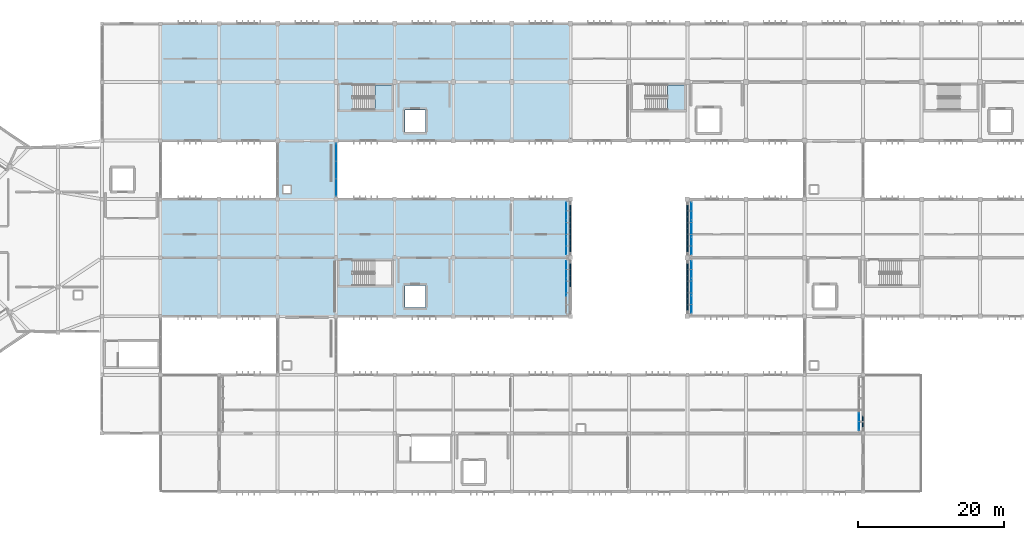
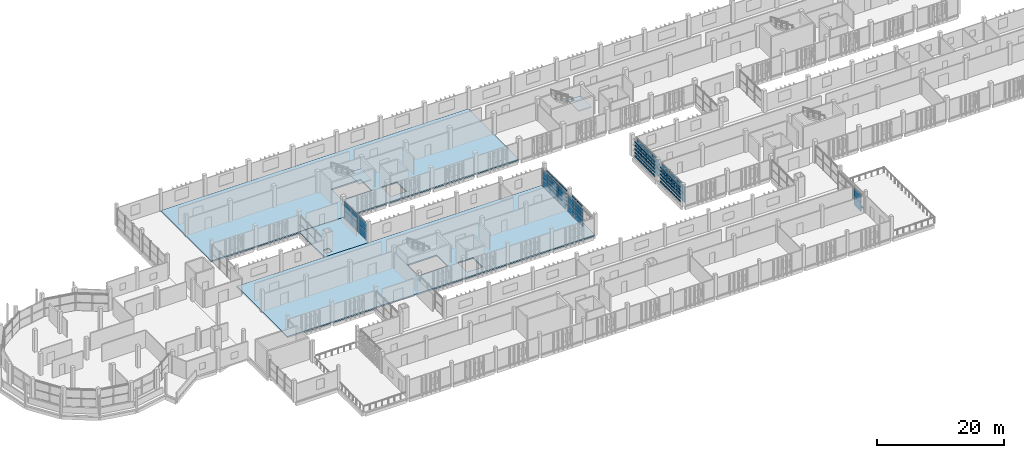
# One storey, part 41 of 63: 101 plates, 5 slabs, 8 elements without a shape of their own.
"""IFC4 building model written with IfcOpenShell, lengths in metres."""

from ifc_helpers import new_model, si_unit, direction, frame, origin, origin_2d, place, context, subcontext, project, spatial, polyline, rectangle, outline, extrude, material, layer, layer_set, type_object, element, aggregate, save


model = new_model("IFC4")

# Units and contexts
model_context = context("Model", 3, precision=1e-05, world=origin(), true_north=direction((0.0, 1.0)))
body_context = subcontext(model_context, "Body", "Model", "MODEL_VIEW")
ifc_project = project(units=[si_unit("LENGTHUNIT", "METRE"), si_unit("AREAUNIT", "SQUARE_METRE"), si_unit("VOLUMEUNIT", "CUBIC_METRE"), si_unit("PLANEANGLEUNIT", "RADIAN"), si_unit("MASSUNIT", "GRAM", prefix="KILO")], contexts=[model_context])

# Site, building, storey
site_placement = place(None, origin())
site = spatial("IfcSite", under=ifc_project, at=site_placement, CompositionType="ELEMENT")
building_placement = place(site_placement, origin())
building = spatial("IfcBuilding", under=site, at=building_placement, Name="Jelvoka-Kovrelna Polytechnic", CompositionType="ELEMENT")
storey_placement = place(building_placement, frame((0.0, 0.0, 18.0)))
storey = spatial("IfcBuildingStorey", under=building, at=storey_placement, Name="L05", CompositionType="ELEMENT", Elevation=18.0)

# Curtain wall, plates
ifc_material_1 = material(Name="Anodised aluminium 6063-T6", Category="aluminium")
ifc_layer_1 = layer(ifc_material_1, 0.159912109375)
ifc_layer_set_1 = layer_set([ifc_layer_1], Name="Anodised aluminium 6063-T6")
curtain_wall_type_1 = type_object("IfcCurtainWallType", Name="CW_Recessed_A", PredefinedType="NOTDEFINED", material=ifc_layer_set_1)
curtain_wall_1_placement = place(storey_placement, origin())
curtain_wall_1 = element("IfcCurtainWall", 1, at=curtain_wall_1_placement, inside=storey, type_object=curtain_wall_type_1, Name="L05 glazed curtain wall 008", PredefinedType="NOTDEFINED")
ifc_material_2 = material(Name="Solar-control double glazing", Category="glass")
ifc_layer_2 = layer(ifc_material_2, 0.028076171875)
ifc_layer_set_2 = layer_set([ifc_layer_2], Name="Solar-control double glazing")
plate_type_1 = type_object("IfcPlateType", Name="Panel_GP-01", PredefinedType="CURTAIN_PANEL", material=ifc_layer_set_2)
plate_1_placement = place(storey_placement, frame((151.43994140625, 17.614990234375, 0.052001953125), z_axis=(0.0, 0.0, 1.0), x_axis=(0.0, -1.0, 0.0)))
plate_1 = element("IfcPlate", 2, at=plate_1_placement, type_object=plate_type_1, Name="CW-01 panel 3.1", PredefinedType="CURTAIN_PANEL", context=body_context, shape_type="SweptSolid", body=[
    extrude(rectangle(XDim=2.326171875, YDim=0.028076171875, at=origin_2d()), origin(), (0.0, 0.0, 1.0), 1.60107421875),
])
plate_2_placement = place(storey_placement, frame((151.43994140625, 17.614990234375, 1.697021484375), z_axis=(0.0, 0.0, 1.0), x_axis=(0.0, -1.0, 0.0)))
plate_2 = element("IfcPlate", 3, at=plate_2_placement, type_object=plate_type_1, Name="CW-01 panel 3.2", PredefinedType="CURTAIN_PANEL", context=body_context, shape_type="SweptSolid", body=[
    extrude(rectangle(XDim=2.326171875, YDim=0.028076171875, at=origin_2d()), origin(), (0.0, 0.0, 1.0), 1.60107421875),
])
aggregate(curtain_wall_1, [plate_1, plate_2])

curtain_wall_2_placement = place(storey_placement, origin())
curtain_wall_2 = element("IfcCurtainWall", 4, at=curtain_wall_2_placement, inside=storey, type_object=curtain_wall_type_1, Name="L05 glazed curtain wall 033", PredefinedType="NOTDEFINED")
plate_3_placement = place(storey_placement, frame((111.43994140625, 38.385009765625, 0.052001953125), z_axis=(0.0, 0.0, 1.0), x_axis=(0.0, -1.0, 0.0)))
plate_3 = element("IfcPlate", 5, at=plate_3_placement, type_object=plate_type_1, Name="CW-01 panel 1.1", PredefinedType="CURTAIN_PANEL", context=body_context, shape_type="SweptSolid", body=[
    extrude(rectangle(XDim=2.326171875, YDim=0.028076171875, at=origin_2d()), origin(), (0.0, 0.0, 1.0), 1.60107421875),
])
plate_4_placement = place(storey_placement, frame((111.43994140625, 38.385009765625, 1.697021484375), z_axis=(0.0, 0.0, 1.0), x_axis=(0.0, -1.0, 0.0)))
plate_4 = element("IfcPlate", 6, at=plate_4_placement, type_object=plate_type_1, Name="CW-01 panel 1.2", PredefinedType="CURTAIN_PANEL", context=body_context, shape_type="SweptSolid", body=[
    extrude(rectangle(XDim=2.326171875, YDim=0.028076171875, at=origin_2d()), origin(), (0.0, 0.0, 1.0), 1.60107421875),
])
plate_5_placement = place(storey_placement, frame((111.43994140625, 36.0, 0.052001953125), z_axis=(0.0, 0.0, 1.0), x_axis=(0.0, -1.0, 0.0)))
plate_5 = element("IfcPlate", 7, at=plate_5_placement, type_object=plate_type_1, Name="CW-01 panel 2.1", PredefinedType="CURTAIN_PANEL", context=body_context, shape_type="SweptSolid", body=[
    extrude(rectangle(XDim=2.356201171875, YDim=0.028076171875, at=origin_2d()), origin(), (0.0, 0.0, 1.0), 1.60107421875),
])
plate_6_placement = place(storey_placement, frame((111.43994140625, 36.0, 1.697021484375), z_axis=(0.0, 0.0, 1.0), x_axis=(0.0, -1.0, 0.0)))
plate_6 = element("IfcPlate", 8, at=plate_6_placement, type_object=plate_type_1, Name="CW-01 panel 2.2", PredefinedType="CURTAIN_PANEL", context=body_context, shape_type="SweptSolid", body=[
    extrude(rectangle(XDim=2.356201171875, YDim=0.028076171875, at=origin_2d()), origin(), (0.0, 0.0, 1.0), 1.60107421875),
])
aggregate(curtain_wall_2, [plate_3, plate_4, plate_5, plate_6])

curtain_wall_3_placement = place(storey_placement, origin())
curtain_wall_3 = element("IfcCurtainWall", 9, at=curtain_wall_3_placement, inside=storey, type_object=curtain_wall_type_1, Name="L05 glazed curtain wall 034", PredefinedType="NOTDEFINED")
plate_7_placement = place(storey_placement, frame((111.43994140625, 46.385009765625, 0.052001953125), z_axis=(0.0, 0.0, 1.0), x_axis=(0.0, -1.0, 0.0)))
plate_7 = element("IfcPlate", 10, at=plate_7_placement, type_object=plate_type_1, Name="CW-01 panel 1.1", PredefinedType="CURTAIN_PANEL", context=body_context, shape_type="SweptSolid", body=[
    extrude(rectangle(XDim=2.326171875, YDim=0.028076171875, at=origin_2d()), origin(), (0.0, 0.0, 1.0), 1.60107421875),
])
plate_8_placement = place(storey_placement, frame((111.43994140625, 46.385009765625, 1.697021484375), z_axis=(0.0, 0.0, 1.0), x_axis=(0.0, -1.0, 0.0)))
plate_8 = element("IfcPlate", 11, at=plate_8_placement, type_object=plate_type_1, Name="CW-01 panel 1.2", PredefinedType="CURTAIN_PANEL", context=body_context, shape_type="SweptSolid", body=[
    extrude(rectangle(XDim=2.326171875, YDim=0.028076171875, at=origin_2d()), origin(), (0.0, 0.0, 1.0), 1.60107421875),
])
plate_9_placement = place(storey_placement, frame((111.43994140625, 44.0, 0.052001953125), z_axis=(0.0, 0.0, 1.0), x_axis=(0.0, -1.0, 0.0)))
plate_9 = element("IfcPlate", 12, at=plate_9_placement, type_object=plate_type_1, Name="CW-01 panel 2.1", PredefinedType="CURTAIN_PANEL", context=body_context, shape_type="SweptSolid", body=[
    extrude(rectangle(XDim=2.356201171875, YDim=0.028076171875, at=origin_2d()), origin(), (0.0, 0.0, 1.0), 1.60107421875),
])
plate_10_placement = place(storey_placement, frame((111.43994140625, 44.0, 1.697021484375), z_axis=(0.0, 0.0, 1.0), x_axis=(0.0, -1.0, 0.0)))
plate_10 = element("IfcPlate", 13, at=plate_10_placement, type_object=plate_type_1, Name="CW-01 panel 2.2", PredefinedType="CURTAIN_PANEL", context=body_context, shape_type="SweptSolid", body=[
    extrude(rectangle(XDim=2.356201171875, YDim=0.028076171875, at=origin_2d()), origin(), (0.0, 0.0, 1.0), 1.60107421875),
])
plate_11_placement = place(storey_placement, frame((111.43994140625, 41.614990234375, 0.052001953125), z_axis=(0.0, 0.0, 1.0), x_axis=(0.0, -1.0, 0.0)))
plate_11 = element("IfcPlate", 14, at=plate_11_placement, type_object=plate_type_1, Name="CW-01 panel 3.1", PredefinedType="CURTAIN_PANEL", context=body_context, shape_type="SweptSolid", body=[
    extrude(rectangle(XDim=2.326171875, YDim=0.028076171875, at=origin_2d()), origin(), (0.0, 0.0, 1.0), 1.60107421875),
])
plate_12_placement = place(storey_placement, frame((111.43994140625, 41.614990234375, 1.697021484375), z_axis=(0.0, 0.0, 1.0), x_axis=(0.0, -1.0, 0.0)))
plate_12 = element("IfcPlate", 15, at=plate_12_placement, type_object=plate_type_1, Name="CW-01 panel 3.2", PredefinedType="CURTAIN_PANEL", context=body_context, shape_type="SweptSolid", body=[
    extrude(rectangle(XDim=2.326171875, YDim=0.028076171875, at=origin_2d()), origin(), (0.0, 0.0, 1.0), 1.60107421875),
])
aggregate(curtain_wall_3, [plate_7, plate_8, plate_9, plate_10, plate_11, plate_12])

curtain_wall_4_placement = place(storey_placement, origin())
curtain_wall_4 = element("IfcCurtainWall", 16, at=curtain_wall_4_placement, inside=storey, type_object=curtain_wall_type_1, Name="L05 glazed curtain wall 070", PredefinedType="NOTDEFINED")
plate_13_placement = place(storey_placement, frame((128.56005859375, 33.614990234375, 0.052001953125), z_axis=(0.0, 0.0, 1.0), x_axis=(0.0, 1.0, 0.0)))
plate_13 = element("IfcPlate", 17, at=plate_13_placement, type_object=plate_type_1, Name="CW-01 panel 1.1", PredefinedType="CURTAIN_PANEL", context=body_context, shape_type="SweptSolid", body=[
    extrude(rectangle(XDim=2.326171875, YDim=0.028076171875, at=origin_2d()), origin(), (0.0, 0.0, 1.0), 1.60107421875),
])
plate_14_placement = place(storey_placement, frame((128.56005859375, 33.614990234375, 1.697021484375), z_axis=(0.0, 0.0, 1.0), x_axis=(0.0, 1.0, 0.0)))
plate_14 = element("IfcPlate", 18, at=plate_14_placement, type_object=plate_type_1, Name="CW-01 panel 1.2", PredefinedType="CURTAIN_PANEL", context=body_context, shape_type="SweptSolid", body=[
    extrude(rectangle(XDim=2.326171875, YDim=0.028076171875, at=origin_2d()), origin(), (0.0, 0.0, 1.0), 1.60107421875),
])
plate_15_placement = place(storey_placement, frame((128.56005859375, 36.0, 0.052001953125), z_axis=(0.0, 0.0, 1.0), x_axis=(0.0, 1.0, 0.0)))
plate_15 = element("IfcPlate", 19, at=plate_15_placement, type_object=plate_type_1, Name="CW-01 panel 2.1", PredefinedType="CURTAIN_PANEL", context=body_context, shape_type="SweptSolid", body=[
    extrude(rectangle(XDim=2.356201171875, YDim=0.028076171875, at=origin_2d()), origin(), (0.0, 0.0, 1.0), 1.60107421875),
])
plate_16_placement = place(storey_placement, frame((128.56005859375, 36.0, 1.697021484375), z_axis=(0.0, 0.0, 1.0), x_axis=(0.0, 1.0, 0.0)))
plate_16 = element("IfcPlate", 20, at=plate_16_placement, type_object=plate_type_1, Name="CW-01 panel 2.2", PredefinedType="CURTAIN_PANEL", context=body_context, shape_type="SweptSolid", body=[
    extrude(rectangle(XDim=2.356201171875, YDim=0.028076171875, at=origin_2d()), origin(), (0.0, 0.0, 1.0), 1.60107421875),
])
plate_17_placement = place(storey_placement, frame((128.56005859375, 38.385009765625, 0.052001953125), z_axis=(0.0, 0.0, 1.0), x_axis=(0.0, 1.0, 0.0)))
plate_17 = element("IfcPlate", 21, at=plate_17_placement, type_object=plate_type_1, Name="CW-01 panel 3.1", PredefinedType="CURTAIN_PANEL", context=body_context, shape_type="SweptSolid", body=[
    extrude(rectangle(XDim=2.326171875, YDim=0.028076171875, at=origin_2d()), origin(), (0.0, 0.0, 1.0), 1.60107421875),
])
plate_18_placement = place(storey_placement, frame((128.56005859375, 38.385009765625, 1.697021484375), z_axis=(0.0, 0.0, 1.0), x_axis=(0.0, 1.0, 0.0)))
plate_18 = element("IfcPlate", 22, at=plate_18_placement, type_object=plate_type_1, Name="CW-01 panel 3.2", PredefinedType="CURTAIN_PANEL", context=body_context, shape_type="SweptSolid", body=[
    extrude(rectangle(XDim=2.326171875, YDim=0.028076171875, at=origin_2d()), origin(), (0.0, 0.0, 1.0), 1.60107421875),
])
aggregate(curtain_wall_4, [plate_13, plate_14, plate_15, plate_16, plate_17, plate_18])

curtain_wall_5_placement = place(storey_placement, origin())
curtain_wall_5 = element("IfcCurtainWall", 23, at=curtain_wall_5_placement, inside=storey, type_object=curtain_wall_type_1, Name="L05 glazed curtain wall 071", PredefinedType="NOTDEFINED")
plate_19_placement = place(storey_placement, frame((128.56005859375, 41.614990234375, 0.052001953125), z_axis=(0.0, 0.0, 1.0), x_axis=(0.0, 1.0, 0.0)))
plate_19 = element("IfcPlate", 24, at=plate_19_placement, type_object=plate_type_1, Name="CW-01 panel 1.1", PredefinedType="CURTAIN_PANEL", context=body_context, shape_type="SweptSolid", body=[
    extrude(rectangle(XDim=2.326171875, YDim=0.028076171875, at=origin_2d()), origin(), (0.0, 0.0, 1.0), 1.60107421875),
])
plate_20_placement = place(storey_placement, frame((128.56005859375, 41.614990234375, 1.697021484375), z_axis=(0.0, 0.0, 1.0), x_axis=(0.0, 1.0, 0.0)))
plate_20 = element("IfcPlate", 25, at=plate_20_placement, type_object=plate_type_1, Name="CW-01 panel 1.2", PredefinedType="CURTAIN_PANEL", context=body_context, shape_type="SweptSolid", body=[
    extrude(rectangle(XDim=2.326171875, YDim=0.028076171875, at=origin_2d()), origin(), (0.0, 0.0, 1.0), 1.60107421875),
])
plate_21_placement = place(storey_placement, frame((128.56005859375, 44.0, 0.052001953125), z_axis=(0.0, 0.0, 1.0), x_axis=(0.0, 1.0, 0.0)))
plate_21 = element("IfcPlate", 26, at=plate_21_placement, type_object=plate_type_1, Name="CW-01 panel 2.1", PredefinedType="CURTAIN_PANEL", context=body_context, shape_type="SweptSolid", body=[
    extrude(rectangle(XDim=2.356201171875, YDim=0.028076171875, at=origin_2d()), origin(), (0.0, 0.0, 1.0), 1.60107421875),
])
plate_22_placement = place(storey_placement, frame((128.56005859375, 44.0, 1.697021484375), z_axis=(0.0, 0.0, 1.0), x_axis=(0.0, 1.0, 0.0)))
plate_22 = element("IfcPlate", 27, at=plate_22_placement, type_object=plate_type_1, Name="CW-01 panel 2.2", PredefinedType="CURTAIN_PANEL", context=body_context, shape_type="SweptSolid", body=[
    extrude(rectangle(XDim=2.356201171875, YDim=0.028076171875, at=origin_2d()), origin(), (0.0, 0.0, 1.0), 1.60107421875),
])
plate_23_placement = place(storey_placement, frame((128.56005859375, 46.385009765625, 0.052001953125), z_axis=(0.0, 0.0, 1.0), x_axis=(0.0, 1.0, 0.0)))
plate_23 = element("IfcPlate", 28, at=plate_23_placement, type_object=plate_type_1, Name="CW-01 panel 3.1", PredefinedType="CURTAIN_PANEL", context=body_context, shape_type="SweptSolid", body=[
    extrude(rectangle(XDim=2.326171875, YDim=0.028076171875, at=origin_2d()), origin(), (0.0, 0.0, 1.0), 1.60107421875),
])
plate_24_placement = place(storey_placement, frame((128.56005859375, 46.385009765625, 1.697021484375), z_axis=(0.0, 0.0, 1.0), x_axis=(0.0, 1.0, 0.0)))
plate_24 = element("IfcPlate", 29, at=plate_24_placement, type_object=plate_type_1, Name="CW-01 panel 3.2", PredefinedType="CURTAIN_PANEL", context=body_context, shape_type="SweptSolid", body=[
    extrude(rectangle(XDim=2.326171875, YDim=0.028076171875, at=origin_2d()), origin(), (0.0, 0.0, 1.0), 1.60107421875),
])
aggregate(curtain_wall_5, [plate_19, plate_20, plate_21, plate_22, plate_23, plate_24])

ifc_material_3 = material(Name="Anodised aluminium 6063-T6", Category="aluminium")
ifc_layer_3 = layer(ifc_material_3, 0.159912109375)
ifc_layer_set_3 = layer_set([ifc_layer_3], Name="Anodised aluminium 6063-T6")
curtain_wall_type_2 = type_object("IfcCurtainWallType", Name="CW_LinkBridge", PredefinedType="NOTDEFINED", material=ifc_layer_set_3)
curtain_wall_6_placement = place(storey_placement, origin())
curtain_wall_6 = element("IfcCurtainWall", 30, at=curtain_wall_6_placement, inside=storey, type_object=curtain_wall_type_2, Name="L05 glazed curtain wall 147", PredefinedType="NOTDEFINED")
ifc_material_4 = material(Name="Solar-control double glazing", Category="glass")
ifc_layer_4 = layer(ifc_material_4, 0.02392578125)
ifc_layer_set_4 = layer_set([ifc_layer_4], Name="Solar-control double glazing")
plate_type_2 = type_object("IfcPlateType", Name="Panel_GP-04", PredefinedType="CURTAIN_PANEL", material=ifc_layer_set_4)
plate_25_placement = place(storey_placement, frame((80.0, 54.385009765625, 0.052001953125), z_axis=(0.0, 0.0, 1.0), x_axis=(0.0, -1.0, 0.0)))
plate_25 = element("IfcPlate", 31, at=plate_25_placement, type_object=plate_type_2, Name="CW-04 panel 1.1", PredefinedType="CURTAIN_PANEL", context=body_context, shape_type="SweptSolid", body=[
    extrude(rectangle(XDim=2.326171875, YDim=0.02392578125, at=origin_2d()), origin(), (0.0, 0.0, 1.0), 1.593505859375),
])
plate_26_placement = place(storey_placement, frame((80.0, 54.385009765625, 1.689697265625), z_axis=(0.0, 0.0, 1.0), x_axis=(0.0, -1.0, 0.0)))
plate_26 = element("IfcPlate", 32, at=plate_26_placement, type_object=plate_type_2, Name="CW-04 panel 1.2", PredefinedType="CURTAIN_PANEL", context=body_context, shape_type="SweptSolid", body=[
    extrude(rectangle(XDim=2.326171875, YDim=0.02392578125, at=origin_2d()), origin(), (0.0, 0.0, 1.0), 1.593505859375),
])
plate_27_placement = place(storey_placement, frame((80.0, 52.0, 0.052001953125), z_axis=(0.0, 0.0, 1.0), x_axis=(0.0, -1.0, 0.0)))
plate_27 = element("IfcPlate", 33, at=plate_27_placement, type_object=plate_type_2, Name="CW-04 panel 2.1", PredefinedType="CURTAIN_PANEL", context=body_context, shape_type="SweptSolid", body=[
    extrude(rectangle(XDim=2.356201171875, YDim=0.02392578125, at=origin_2d()), origin(), (0.0, 0.0, 1.0), 1.593505859375),
])
plate_28_placement = place(storey_placement, frame((80.0, 52.0, 1.689697265625), z_axis=(0.0, 0.0, 1.0), x_axis=(0.0, -1.0, 0.0)))
plate_28 = element("IfcPlate", 34, at=plate_28_placement, type_object=plate_type_2, Name="CW-04 panel 2.2", PredefinedType="CURTAIN_PANEL", context=body_context, shape_type="SweptSolid", body=[
    extrude(rectangle(XDim=2.356201171875, YDim=0.02392578125, at=origin_2d()), origin(), (0.0, 0.0, 1.0), 1.593505859375),
])
plate_29_placement = place(storey_placement, frame((80.0, 49.614990234375, 0.052001953125), z_axis=(0.0, 0.0, 1.0), x_axis=(0.0, -1.0, 0.0)))
plate_29 = element("IfcPlate", 35, at=plate_29_placement, type_object=plate_type_2, Name="CW-04 panel 3.1", PredefinedType="CURTAIN_PANEL", context=body_context, shape_type="SweptSolid", body=[
    extrude(rectangle(XDim=2.326171875, YDim=0.02392578125, at=origin_2d()), origin(), (0.0, 0.0, 1.0), 1.593505859375),
])
plate_30_placement = place(storey_placement, frame((80.0, 49.614990234375, 1.689697265625), z_axis=(0.0, 0.0, 1.0), x_axis=(0.0, -1.0, 0.0)))
plate_30 = element("IfcPlate", 36, at=plate_30_placement, type_object=plate_type_2, Name="CW-04 panel 3.2", PredefinedType="CURTAIN_PANEL", context=body_context, shape_type="SweptSolid", body=[
    extrude(rectangle(XDim=2.326171875, YDim=0.02392578125, at=origin_2d()), origin(), (0.0, 0.0, 1.0), 1.593505859375),
])
aggregate(curtain_wall_6, [plate_25, plate_26, plate_27, plate_28, plate_29, plate_30])

# Plates
ifc_material_5 = material(Name="Perforated fired terracotta block", Category="masonry")
ifc_layer_5 = layer(ifc_material_5, 0.159912109375)
ifc_layer_set_5 = layer_set([ifc_layer_5], Name="Perforated fired terracotta block")
plate_type_3 = type_object("IfcPlateType", Name="Screen_Terracotta_TP01", PredefinedType="USERDEFINED", material=ifc_layer_set_5)
for number, where, z_axis, x_axis, name in (
    (37, (128.02001953125, 33.60009765625, 0.2001953125), (0.0, 0.0, 1.0), (0.0, 1.0, 0.0), "L05 perforated terracotta lattice band 0741"),
    (38, (128.02001953125, 33.60009765625, 0.892578125), (0.0, 0.0, 1.0), (0.0, 1.0, 0.0), "L05 perforated terracotta lattice band 0742"),
    (39, (128.02001953125, 33.60009765625, 1.5849609375), (0.0, 0.0, 1.0), (0.0, 1.0, 0.0), "L05 perforated terracotta lattice band 0743"),
    (40, (128.02001953125, 33.60009765625, 2.27734375), (0.0, 0.0, 1.0), (0.0, 1.0, 0.0), "L05 perforated terracotta lattice band 0744"),
    (41, (128.02001953125, 33.60009765625, 2.97021484375), (0.0, 0.0, 1.0), (0.0, 1.0, 0.0), "L05 perforated terracotta lattice band 0745"),
    (42, (128.02001953125, 35.199951171875, 0.2001953125), (0.0, 0.0, 1.0), (0.0, 1.0, 0.0), "L05 perforated terracotta lattice band 0746"),
    (43, (128.02001953125, 35.199951171875, 0.892578125), (0.0, 0.0, 1.0), (0.0, 1.0, 0.0), "L05 perforated terracotta lattice band 0747"),
    (44, (128.02001953125, 35.199951171875, 1.5849609375), (0.0, 0.0, 1.0), (0.0, 1.0, 0.0), "L05 perforated terracotta lattice band 0748"),
    (45, (128.02001953125, 35.199951171875, 2.27734375), (0.0, 0.0, 1.0), (0.0, 1.0, 0.0), "L05 perforated terracotta lattice band 0749"),
    (46, (128.02001953125, 35.199951171875, 2.97021484375), (0.0, 0.0, 1.0), (0.0, 1.0, 0.0), "L05 perforated terracotta lattice band 0750"),
    (47, (128.02001953125, 36.800048828125, 0.2001953125), (0.0, 0.0, 1.0), (0.0, 1.0, 0.0), "L05 perforated terracotta lattice band 0751"),
    (48, (128.02001953125, 36.800048828125, 0.892578125), (0.0, 0.0, 1.0), (0.0, 1.0, 0.0), "L05 perforated terracotta lattice band 0752"),
    (49, (128.02001953125, 36.800048828125, 1.5849609375), (0.0, 0.0, 1.0), (0.0, 1.0, 0.0), "L05 perforated terracotta lattice band 0753"),
    (50, (128.02001953125, 36.800048828125, 2.27734375), (0.0, 0.0, 1.0), (0.0, 1.0, 0.0), "L05 perforated terracotta lattice band 0754"),
    (51, (128.02001953125, 36.800048828125, 2.97021484375), (0.0, 0.0, 1.0), (0.0, 1.0, 0.0), "L05 perforated terracotta lattice band 0755"),
    (52, (128.02001953125, 38.39990234375, 0.2001953125), (0.0, 0.0, 1.0), (0.0, 1.0, 0.0), "L05 perforated terracotta lattice band 0756"),
    (53, (128.02001953125, 38.39990234375, 0.892578125), (0.0, 0.0, 1.0), (0.0, 1.0, 0.0), "L05 perforated terracotta lattice band 0757"),
    (54, (128.02001953125, 38.39990234375, 1.5849609375), (0.0, 0.0, 1.0), (0.0, 1.0, 0.0), "L05 perforated terracotta lattice band 0758"),
    (55, (128.02001953125, 38.39990234375, 2.27734375), (0.0, 0.0, 1.0), (0.0, 1.0, 0.0), "L05 perforated terracotta lattice band 0759"),
    (56, (128.02001953125, 38.39990234375, 2.97021484375), (0.0, 0.0, 1.0), (0.0, 1.0, 0.0), "L05 perforated terracotta lattice band 0760"),
    (57, (128.02001953125, 41.60009765625, 0.2001953125), (0.0, 0.0, 1.0), (0.0, 1.0, 0.0), "L05 perforated terracotta lattice band 0761"),
    (58, (128.02001953125, 41.60009765625, 0.892578125), (0.0, 0.0, 1.0), (0.0, 1.0, 0.0), "L05 perforated terracotta lattice band 0762"),
    (59, (128.02001953125, 41.60009765625, 1.5849609375), (0.0, 0.0, 1.0), (0.0, 1.0, 0.0), "L05 perforated terracotta lattice band 0763"),
    (60, (128.02001953125, 41.60009765625, 2.27734375), (0.0, 0.0, 1.0), (0.0, 1.0, 0.0), "L05 perforated terracotta lattice band 0764"),
    (61, (128.02001953125, 41.60009765625, 2.97021484375), (0.0, 0.0, 1.0), (0.0, 1.0, 0.0), "L05 perforated terracotta lattice band 0765"),
    (62, (128.02001953125, 43.199951171875, 0.2001953125), (0.0, 0.0, 1.0), (0.0, 1.0, 0.0), "L05 perforated terracotta lattice band 0766"),
    (63, (128.02001953125, 43.199951171875, 0.892578125), (0.0, 0.0, 1.0), (0.0, 1.0, 0.0), "L05 perforated terracotta lattice band 0767"),
    (64, (128.02001953125, 43.199951171875, 1.5849609375), (0.0, 0.0, 1.0), (0.0, 1.0, 0.0), "L05 perforated terracotta lattice band 0768"),
    (65, (128.02001953125, 43.199951171875, 2.27734375), (0.0, 0.0, 1.0), (0.0, 1.0, 0.0), "L05 perforated terracotta lattice band 0769"),
    (66, (128.02001953125, 43.199951171875, 2.97021484375), (0.0, 0.0, 1.0), (0.0, 1.0, 0.0), "L05 perforated terracotta lattice band 0770"),
    (67, (128.02001953125, 44.800048828125, 0.2001953125), (0.0, 0.0, 1.0), (0.0, 1.0, 0.0), "L05 perforated terracotta lattice band 0771"),
    (68, (128.02001953125, 44.800048828125, 0.892578125), (0.0, 0.0, 1.0), (0.0, 1.0, 0.0), "L05 perforated terracotta lattice band 0772"),
    (69, (128.02001953125, 44.800048828125, 1.5849609375), (0.0, 0.0, 1.0), (0.0, 1.0, 0.0), "L05 perforated terracotta lattice band 0773"),
    (70, (128.02001953125, 44.800048828125, 2.27734375), (0.0, 0.0, 1.0), (0.0, 1.0, 0.0), "L05 perforated terracotta lattice band 0774"),
    (71, (128.02001953125, 44.800048828125, 2.97021484375), (0.0, 0.0, 1.0), (0.0, 1.0, 0.0), "L05 perforated terracotta lattice band 0775"),
    (72, (128.02001953125, 46.39990234375, 0.2001953125), (0.0, 0.0, 1.0), (0.0, 1.0, 0.0), "L05 perforated terracotta lattice band 0776"),
    (73, (128.02001953125, 46.39990234375, 0.892578125), (0.0, 0.0, 1.0), (0.0, 1.0, 0.0), "L05 perforated terracotta lattice band 0777"),
    (74, (128.02001953125, 46.39990234375, 1.5849609375), (0.0, 0.0, 1.0), (0.0, 1.0, 0.0), "L05 perforated terracotta lattice band 0778"),
    (75, (128.02001953125, 46.39990234375, 2.27734375), (0.0, 0.0, 1.0), (0.0, 1.0, 0.0), "L05 perforated terracotta lattice band 0779"),
    (76, (128.02001953125, 46.39990234375, 2.97021484375), (0.0, 0.0, 1.0), (0.0, 1.0, 0.0), "L05 perforated terracotta lattice band 0780"),
):
    element("IfcPlate", number, at=place(storey_placement, frame(where, z_axis=z_axis, x_axis=x_axis)), inside=storey, type_object=plate_type_3, Name=name, ObjectType="SCREEN PANEL", PredefinedType="USERDEFINED", context=body_context, shape_type="SweptSolid", body=[
        extrude(rectangle(XDim=1.60009765625, YDim=0.159912109375, at=origin_2d()), origin(), (0.0, 0.0, 1.0), 0.239990234375),
    ])
ifc_material_6 = material(Name="Perforated fired terracotta block", Category="masonry")
ifc_layer_6 = layer(ifc_material_6, 0.14990234375)
ifc_layer_set_6 = layer_set([ifc_layer_6], Name="Perforated fired terracotta block")
plate_type_4 = type_object("IfcPlateType", Name="Screen_Terracotta_TP03", PredefinedType="USERDEFINED", material=ifc_layer_set_6)
plate_31_placement = place(storey_placement, frame((151.97998046875, 17.60009765625, 0.25), z_axis=(0.0, 0.0, 1.0), x_axis=(0.0, 1.0, 0.0)))
element("IfcPlate", 77, at=plate_31_placement, inside=storey, type_object=plate_type_4, Name="L05 perforated terracotta lattice band 0141", ObjectType="SCREEN PANEL", PredefinedType="USERDEFINED", context=body_context, shape_type="SweptSolid", body=[
    extrude(rectangle(XDim=1.56005859375, YDim=0.14990234375, at=origin_2d()), origin(), (0.0, 0.0, 1.0), 0.260009765625),
])
ifc_material_7 = material(Name="Perforated fired terracotta block", Category="masonry")
ifc_layer_7 = layer(ifc_material_7, 0.169921875)
ifc_layer_set_7 = layer_set([ifc_layer_7], Name="Perforated fired terracotta block")
plate_type_5 = type_object("IfcPlateType", Name="Screen_Terracotta_TP04", PredefinedType="USERDEFINED", material=ifc_layer_set_7)
for number, where, z_axis, x_axis, name in (
    (78, (111.97998046875, 36.800048828125, 0.18994140625), (0.0, 0.0, 1.0), (0.0, 1.0, 0.0), "L05 perforated terracotta lattice band 0331"),
    (79, (111.97998046875, 36.800048828125, 0.88232421875), (0.0, 0.0, 1.0), (0.0, 1.0, 0.0), "L05 perforated terracotta lattice band 0332"),
    (80, (111.97998046875, 36.800048828125, 1.5751953125), (0.0, 0.0, 1.0), (0.0, 1.0, 0.0), "L05 perforated terracotta lattice band 0333"),
    (81, (111.97998046875, 36.800048828125, 2.267578125), (0.0, 0.0, 1.0), (0.0, 1.0, 0.0), "L05 perforated terracotta lattice band 0334"),
    (82, (111.97998046875, 36.800048828125, 2.9599609375), (0.0, 0.0, 1.0), (0.0, 1.0, 0.0), "L05 perforated terracotta lattice band 0335"),
    (83, (111.97998046875, 38.39990234375, 0.18994140625), (0.0, 0.0, 1.0), (0.0, 1.0, 0.0), "L05 perforated terracotta lattice band 0336"),
    (84, (111.97998046875, 38.39990234375, 0.88232421875), (0.0, 0.0, 1.0), (0.0, 1.0, 0.0), "L05 perforated terracotta lattice band 0337"),
    (85, (111.97998046875, 38.39990234375, 1.5751953125), (0.0, 0.0, 1.0), (0.0, 1.0, 0.0), "L05 perforated terracotta lattice band 0338"),
    (86, (111.97998046875, 38.39990234375, 2.267578125), (0.0, 0.0, 1.0), (0.0, 1.0, 0.0), "L05 perforated terracotta lattice band 0339"),
    (87, (111.97998046875, 38.39990234375, 2.9599609375), (0.0, 0.0, 1.0), (0.0, 1.0, 0.0), "L05 perforated terracotta lattice band 0340"),
    (88, (111.97998046875, 41.60009765625, 0.18994140625), (0.0, 0.0, 1.0), (0.0, 1.0, 0.0), "L05 perforated terracotta lattice band 0341"),
    (89, (111.97998046875, 41.60009765625, 0.88232421875), (0.0, 0.0, 1.0), (0.0, 1.0, 0.0), "L05 perforated terracotta lattice band 0342"),
    (90, (111.97998046875, 41.60009765625, 1.5751953125), (0.0, 0.0, 1.0), (0.0, 1.0, 0.0), "L05 perforated terracotta lattice band 0343"),
    (91, (111.97998046875, 41.60009765625, 2.267578125), (0.0, 0.0, 1.0), (0.0, 1.0, 0.0), "L05 perforated terracotta lattice band 0344"),
    (92, (111.97998046875, 41.60009765625, 2.9599609375), (0.0, 0.0, 1.0), (0.0, 1.0, 0.0), "L05 perforated terracotta lattice band 0345"),
    (93, (111.97998046875, 43.199951171875, 0.18994140625), (0.0, 0.0, 1.0), (0.0, 1.0, 0.0), "L05 perforated terracotta lattice band 0346"),
    (94, (111.97998046875, 43.199951171875, 0.88232421875), (0.0, 0.0, 1.0), (0.0, 1.0, 0.0), "L05 perforated terracotta lattice band 0347"),
    (95, (111.97998046875, 43.199951171875, 1.5751953125), (0.0, 0.0, 1.0), (0.0, 1.0, 0.0), "L05 perforated terracotta lattice band 0348"),
    (96, (111.97998046875, 43.199951171875, 2.267578125), (0.0, 0.0, 1.0), (0.0, 1.0, 0.0), "L05 perforated terracotta lattice band 0349"),
    (97, (111.97998046875, 43.199951171875, 2.9599609375), (0.0, 0.0, 1.0), (0.0, 1.0, 0.0), "L05 perforated terracotta lattice band 0350"),
    (98, (111.97998046875, 44.800048828125, 0.18994140625), (0.0, 0.0, 1.0), (0.0, 1.0, 0.0), "L05 perforated terracotta lattice band 0351"),
    (99, (111.97998046875, 44.800048828125, 0.88232421875), (0.0, 0.0, 1.0), (0.0, 1.0, 0.0), "L05 perforated terracotta lattice band 0352"),
    (100, (111.97998046875, 44.800048828125, 1.5751953125), (0.0, 0.0, 1.0), (0.0, 1.0, 0.0), "L05 perforated terracotta lattice band 0353"),
    (101, (111.97998046875, 44.800048828125, 2.267578125), (0.0, 0.0, 1.0), (0.0, 1.0, 0.0), "L05 perforated terracotta lattice band 0354"),
    (102, (111.97998046875, 44.800048828125, 2.9599609375), (0.0, 0.0, 1.0), (0.0, 1.0, 0.0), "L05 perforated terracotta lattice band 0355"),
    (103, (111.97998046875, 46.39990234375, 0.18994140625), (0.0, 0.0, 1.0), (0.0, 1.0, 0.0), "L05 perforated terracotta lattice band 0356"),
    (104, (111.97998046875, 46.39990234375, 0.88232421875), (0.0, 0.0, 1.0), (0.0, 1.0, 0.0), "L05 perforated terracotta lattice band 0357"),
    (105, (111.97998046875, 46.39990234375, 1.5751953125), (0.0, 0.0, 1.0), (0.0, 1.0, 0.0), "L05 perforated terracotta lattice band 0358"),
    (106, (111.97998046875, 46.39990234375, 2.267578125), (0.0, 0.0, 1.0), (0.0, 1.0, 0.0), "L05 perforated terracotta lattice band 0359"),
    (107, (111.97998046875, 46.39990234375, 2.9599609375), (0.0, 0.0, 1.0), (0.0, 1.0, 0.0), "L05 perforated terracotta lattice band 0360"),
):
    element("IfcPlate", number, at=place(storey_placement, frame(where, z_axis=z_axis, x_axis=x_axis)), inside=storey, type_object=plate_type_5, Name=name, ObjectType="SCREEN PANEL", PredefinedType="USERDEFINED", context=body_context, shape_type="SweptSolid", body=[
        extrude(rectangle(XDim=1.56005859375, YDim=0.169921875, at=origin_2d()), origin(), (0.0, 0.0, 1.0), 0.260009765625),
    ])

# Slabs
ifc_material_8 = material(Name="Concrete C35/45", Category="concrete")
ifc_layer_8 = layer(ifc_material_8, 0.25)
ifc_layer_set_8 = layer_set([ifc_layer_8], Name="Concrete C35/45")
slab_type_1 = type_object("IfcSlabType", Name="Slab_Floor_250", PredefinedType="FLOOR", material=ifc_layer_set_8)
slab_1_placement = place(storey_placement, frame((0.0, 0.0, -0.25)))
element("IfcSlab", 108, at=slab_1_placement, inside=storey, type_object=slab_type_1, Name="L05 B2W structural slab", PredefinedType="FLOOR", context=body_context, shape_type="SweptSolid", body=[
    extrude(outline(polyline([(56.0, 32.0), (112.0, 32.0), (112.0, 48.0), (56.0, 48.0), (56.0, 32.0)]), holes=[polyline([(89.39990234375, 33.199951171875), (92.199951171875, 33.199951171875), (92.199951171875, 36.199951171875), (89.39990234375, 36.199951171875), (89.39990234375, 33.199951171875)]), polyline([(82.264892578125, 36.199951171875), (87.60009765625, 36.199951171875), (87.60009765625, 39.639892578125), (82.264892578125, 39.639892578125), (82.264892578125, 36.199951171875)])]), origin(), (0.0, 0.0, 1.0), 0.25),
])
slab_2_placement = place(storey_placement, frame((0.0, 0.0, -0.25)))
element("IfcSlab", 109, at=slab_2_placement, inside=storey, type_object=slab_type_1, Name="L05 B3W structural slab", PredefinedType="FLOOR", context=body_context, shape_type="SweptSolid", body=[
    extrude(outline(polyline([(56.0, 56.0), (112.0, 56.0), (112.0, 72.0), (56.0, 72.0), (56.0, 56.0)]), holes=[polyline([(89.39990234375, 57.199951171875), (92.199951171875, 57.199951171875), (92.199951171875, 60.199951171875), (89.39990234375, 60.199951171875), (89.39990234375, 57.199951171875)]), polyline([(82.264892578125, 60.199951171875), (87.60009765625, 60.199951171875), (87.60009765625, 63.639892578125), (82.264892578125, 63.639892578125), (82.264892578125, 60.199951171875)])]), origin(), (0.0, 0.0, 1.0), 0.25),
])
slab_3_placement = place(storey_placement, frame((0.0, 0.0, -0.25)))
element("IfcSlab", 110, at=slab_3_placement, inside=storey, type_object=slab_type_1, Name="L05 LNKNW structural slab", PredefinedType="FLOOR", context=body_context, shape_type="SweptSolid", body=[
    extrude(outline(polyline([(72.0, 48.0), (80.0, 48.0), (80.0, 56.0), (72.0, 56.0), (72.0, 48.0)]), holes=[polyline([(72.800048828125, 48.800048828125), (73.800048828125, 48.800048828125), (73.800048828125, 49.800048828125), (72.800048828125, 49.800048828125), (72.800048828125, 48.800048828125)])]), origin(), (0.0, 0.0, 1.0), 0.25),
])

# Stair, slab
ifc_material_9 = material(Name="Concrete C35/45", Category="concrete")
stair_type_1 = type_object("IfcStairType", Name="Stair_Dogleg_1620", PredefinedType="TWO_STRAIGHT_RUN_STAIR", material=ifc_material_9)
stair_1_placement = place(storey_placement, origin())
stair_1 = element("IfcStair", 111, at=stair_1_placement, inside=storey, type_object=stair_type_1, Name="L05 ST09", PredefinedType="TWO_STRAIGHT_RUN_STAIR")
ifc_material_10 = material(Name="Concrete C35/45", Category="concrete")
ifc_layer_9 = layer(ifc_material_10, 0.199951171875)
ifc_layer_set_9 = layer_set([ifc_layer_9], Name="Concrete C35/45")
slab_type_2 = type_object("IfcSlabType", Name="Slab_Stair_Landing_200", PredefinedType="LANDING", material=ifc_layer_set_9)
slab_4_placement = place(storey_placement, frame((0.0, 0.0, 1.89990234375)))
slab_4 = element("IfcSlab", 112, at=slab_4_placement, type_object=slab_type_2, Name="ST09 landing 1", PredefinedType="LANDING", context=body_context, shape_type="SweptSolid", body=[
    extrude(outline(polyline([(85.27490234375, 60.199951171875), (87.60009765625, 60.199951171875), (87.60009765625, 63.639892578125), (85.27490234375, 63.639892578125), (85.27490234375, 60.199951171875)])), origin(), (0.0, 0.0, 1.0), 0.2001953125),
])
aggregate(stair_1, [slab_4])

ifc_material_11 = material(Name="Concrete C35/45", Category="concrete")
stair_type_2 = type_object("IfcStairType", Name="Stair_Dogleg_1580", PredefinedType="TWO_STRAIGHT_RUN_STAIR", material=ifc_material_11)
stair_2_placement = place(storey_placement, origin())
stair_2 = element("IfcStair", 113, at=stair_2_placement, inside=storey, type_object=stair_type_2, Name="L05 ST11", PredefinedType="TWO_STRAIGHT_RUN_STAIR")
slab_5_placement = place(storey_placement, frame((0.0, 0.0, 1.89990234375)))
slab_5 = element("IfcSlab", 114, at=slab_5_placement, type_object=slab_type_2, Name="ST11 landing 1", PredefinedType="LANDING", context=body_context, shape_type="SweptSolid", body=[
    extrude(outline(polyline([(125.27490234375, 60.199951171875), (127.60009765625, 60.199951171875), (127.60009765625, 63.639892578125), (125.27490234375, 63.639892578125), (125.27490234375, 60.199951171875)])), origin(), (0.0, 0.0, 1.0), 0.2001953125),
])
aggregate(stair_2, [slab_5])

save(model, "model.ifc")
